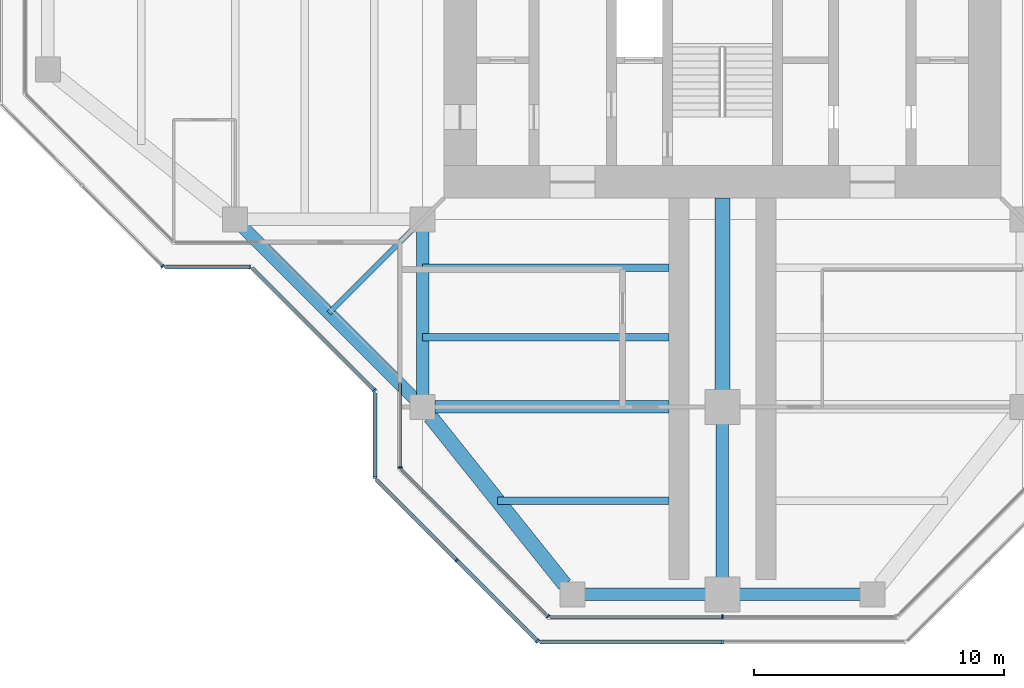
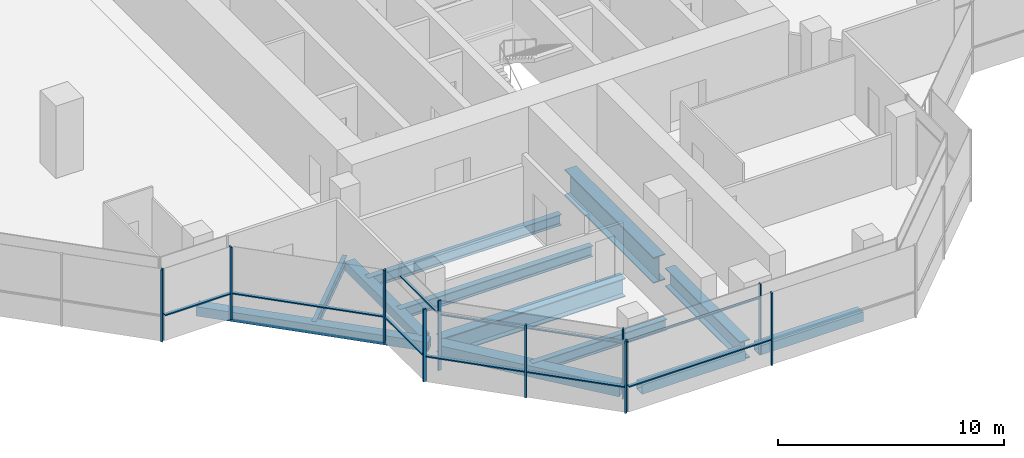
# One storey, part 2 of 15: 19 members, 12 beams, 9 elements without a shape of their own.
"""IFC4 building model written with IfcOpenShell, lengths in metres."""

from ifc_helpers import new_model, si_unit, direction, frame, origin, origin_2d, place, context, subcontext, project, spatial, rectangle, hollow_rectangle, i_section, extrude, material, material_profile, profile_set, type_object, element, aggregate, save


model = new_model("IFC4")

# Units and contexts
model_context = context("Model", 3, precision=1e-05, world=origin(), true_north=direction((0.0, 1.0)))
body_context = subcontext(model_context, "Body", "Model", "MODEL_VIEW")
ifc_project = project(units=[si_unit("LENGTHUNIT", "METRE"), si_unit("AREAUNIT", "SQUARE_METRE"), si_unit("VOLUMEUNIT", "CUBIC_METRE"), si_unit("PLANEANGLEUNIT", "RADIAN"), si_unit("MASSUNIT", "GRAM", prefix="KILO")], contexts=[model_context])

# Site, building, storey
site_placement = place(None, origin())
site = spatial("IfcSite", under=ifc_project, at=site_placement, CompositionType="ELEMENT")
building_placement = place(site_placement, origin())
building = spatial("IfcBuilding", under=site, at=building_placement, Name="Mizan Broadcast Tower", CompositionType="ELEMENT")
storey_placement = place(building_placement, frame((0.0, 0.0, 282.89990234375)))
storey = spatial("IfcBuildingStorey", under=building, at=storey_placement, Name="L67", CompositionType="ELEMENT", Elevation=282.89990234375)

# Beams
ifc_material_1 = material(Name="Steel S355", Category="steel")
ifc_material_profile_1 = material_profile(ifc_material_1, hollow_rectangle(XDim=0.5, YDim=0.5, WallThickness=0.030029296875, at=origin_2d()), Name="BOX 500x500x30")
ifc_profile_set_1 = profile_set([ifc_material_profile_1], Name="Steel S355")
beam_type_1 = type_object("IfcBeamType", Name="EDGE BEAM BOX 500x500x30", PredefinedType="SPANDREL", material=ifc_profile_set_1)
beam_1_placement = place(storey_placement, frame((-12.0, -12.449951171875, -0.3798828125), z_axis=(0.0, -1.0, 0.0), x_axis=(1.0, 0.0, 0.0)))
element("IfcBeam", 1, at=beam_1_placement, inside=storey, type_object=beam_type_1, Name="Edge beam BOX 500x500x30 L67 south arm", PredefinedType="SPANDREL", context=body_context, shape_type="SweptSolid", body=[
    extrude(hollow_rectangle(XDim=0.5, YDim=0.5, WallThickness=0.030029296875, at=origin_2d()), origin(), (0.0, 0.0, 1.0), 6.60009765625),
])
for number, where, z_axis, x_axis, name in (
    (2, (-5.639892578125, -27.0, -0.3798828125), (1.0, 0.0, 0.0), (0.0, 1.0, 0.0), "Edge beam BOX 500x500x30 L67 south arm"),
    (3, (5.639892578125, -27.0, -0.3798828125), (-1.0, 0.0, 0.0), (0.0, -1.0, 0.0), "Edge beam BOX 500x500x30 L67 south arm"),
):
    element("IfcBeam", number, at=place(storey_placement, frame(where, z_axis=z_axis, x_axis=x_axis)), inside=storey, type_object=beam_type_1, Name=name, PredefinedType="SPANDREL", context=body_context, shape_type="SweptSolid", body=[
        extrude(hollow_rectangle(XDim=0.5, YDim=0.5, WallThickness=0.030029296875, at=origin_2d()), origin(), (0.0, 0.0, 1.0), 5.27978515625),
    ])
beam_2_placement = place(storey_placement, frame((-19.5, -12.0, -0.3798828125), z_axis=(0.707106781187, -0.707106781187, 0.0), x_axis=(0.707106781187, 0.707106781187, 0.0)))
element("IfcBeam", 4, at=beam_2_placement, inside=storey, type_object=beam_type_1, Name="Winter garden edge beam L67 W", PredefinedType="SPANDREL", context=body_context, shape_type="SweptSolid", body=[
    extrude(hollow_rectangle(XDim=0.5, YDim=0.5, WallThickness=0.030029296875, at=origin_2d()), origin(), (0.0, 0.0, 1.0), 10.606689453125),
])
ifc_material_2 = material(Name="Steel S355", Category="steel")
ifc_material_profile_2 = material_profile(ifc_material_2, hollow_rectangle(XDim=0.60009765625, YDim=0.60009765625, WallThickness=0.030029296875, at=origin_2d()), Name="BOX 600x600x30")
ifc_profile_set_2 = profile_set([ifc_material_profile_2], Name="Steel S355")
beam_type_2 = type_object("IfcBeamType", Name="EDGE BEAM BOX 600x600x30", PredefinedType="SPANDREL", material=ifc_profile_set_2)
beam_3_placement = place(storey_placement, frame((-11.687744140625, -19.890380859375, -0.429931640625), z_axis=(0.62470196761, -0.780863273348, 0.0), x_axis=(0.780863273348, 0.62470196761, 0.0)))
element("IfcBeam", 5, at=beam_3_placement, inside=storey, type_object=beam_type_2, Name="Edge beam BOX 600x600x30 L67 south arm", PredefinedType="SPANDREL", context=body_context, shape_type="SweptSolid", body=[
    extrude(hollow_rectangle(XDim=0.60009765625, YDim=0.60009765625, WallThickness=0.030029296875, at=origin_2d()), origin(), (0.0, 0.0, 1.0), 8.60498046875),
])
ifc_material_3 = material(Name="Steel S460", Category="steel")
ifc_material_profile_3 = material_profile(ifc_material_3, i_section(OverallWidth=0.5, OverallDepth=1.0, WebThickness=0.02490234375, FlangeThickness=0.050048828125, at=origin_2d()), Name="WPG 1000x500")
ifc_profile_set_3 = profile_set([ifc_material_profile_3], Name="Steel S460")
beam_type_3 = type_object("IfcBeamType", Name="GIRDER WPG 1000x500", PredefinedType="BEAM", material=ifc_profile_set_3)
beam_4_placement = place(storey_placement, frame((0.0, -19.949951171875, -0.6298828125), z_axis=(0.0, -1.0, 0.0), x_axis=(1.0, 0.0, 0.0)))
element("IfcBeam", 6, at=beam_4_placement, inside=storey, type_object=beam_type_3, Name="Girder WPG 1000x500 L67 south arm", PredefinedType="BEAM", context=body_context, shape_type="SweptSolid", body=[
    extrude(i_section(OverallWidth=0.5, OverallDepth=1.0, WebThickness=0.02490234375, FlangeThickness=0.050048828125, at=origin_2d()), origin(), (0.0, 0.0, 1.0), 6.60009765625),
])
beam_5_placement = place(storey_placement, frame((-11.5, -19.5, -0.6298828125), z_axis=(1.0, 0.0, 0.0), x_axis=(0.0, 1.0, 0.0)))
element("IfcBeam", 7, at=beam_5_placement, inside=storey, type_object=beam_type_3, Name="Girder WPG 1000x500 L67 south arm", PredefinedType="BEAM", context=body_context, shape_type="SweptSolid", body=[
    extrude(i_section(OverallWidth=0.5, OverallDepth=1.0, WebThickness=0.02490234375, FlangeThickness=0.050048828125, at=origin_2d()), origin(), (0.0, 0.0, 1.0), 9.35009765625),
])
ifc_material_4 = material(Name="Steel S460", Category="steel")
ifc_material_profile_4 = material_profile(ifc_material_4, i_section(OverallWidth=0.60009765625, OverallDepth=1.39990234375, WebThickness=0.02490234375, FlangeThickness=0.06005859375, at=origin_2d()), Name="WPG 1400x600")
ifc_profile_set_4 = profile_set([ifc_material_profile_4], Name="Steel S460")
beam_type_4 = type_object("IfcBeamType", Name="GIRDER WPG 1400x600", PredefinedType="BEAM", material=ifc_profile_set_4)
beam_6_placement = place(storey_placement, frame((0.0, -11.14990234375, -0.829833984375), z_axis=(0.0, -1.0, 0.0), x_axis=(1.0, 0.0, 0.0)))
element("IfcBeam", 8, at=beam_6_placement, inside=storey, type_object=beam_type_4, Name="Girder WPG 1400x600 L67 south arm", PredefinedType="BEAM", context=body_context, shape_type="SweptSolid", body=[
    extrude(i_section(OverallWidth=0.60009765625, OverallDepth=1.39990234375, WebThickness=0.02490234375, FlangeThickness=0.06005859375, at=origin_2d()), origin(), (0.0, 0.0, 1.0), 7.84912109375),
])

# Curtain wall, member
ifc_material_5 = material(Name="Aluminium framed glazing", Category="aluminium")
curtain_wall_type_1 = type_object("IfcCurtainWallType", Name="INNER SKIN TOP ZONE", PredefinedType="USERDEFINED", material=ifc_material_5)
curtain_wall_1_placement = place(storey_placement, origin())
curtain_wall_1 = element("IfcCurtainWall", 9, at=curtain_wall_1_placement, inside=storey, type_object=curtain_wall_type_1, Name="Inner skin top zone L67 S side", ObjectType="INNER SKIN TOP ZONE", PredefinedType="USERDEFINED")
ifc_material_6 = material(Name="Aluminium, pale anodised", Category="aluminium")
ifc_material_profile_5 = material_profile(ifc_material_6, rectangle(XDim=0.159912109375, YDim=0.06005859375, at=origin_2d()), Name="MULLION 160x60")
ifc_profile_set_5 = profile_set([ifc_material_profile_5], Name="Aluminium, pale anodised")
member_type_1 = type_object("IfcMemberType", Name="INNER SKIN MULLION 60x160", PredefinedType="MULLION", material=ifc_profile_set_5)
member_1_placement = place(storey_placement, frame((-12.89990234375, -21.928466796875, 0.0), z_axis=(0.0, 0.0, 1.0), x_axis=(1.0, 0.0, 0.0)))
member_1 = element("IfcMember", 10, at=member_1_placement, type_object=member_type_1, Name="Inner skin top zone L67 S side mullion 2", PredefinedType="MULLION", context=body_context, shape_type="SweptSolid", body=[
    extrude(rectangle(XDim=0.159912109375, YDim=0.06005859375, at=origin_2d()), origin(), (0.0, 0.0, 1.0), 3.77001953125),
])

curtain_wall_2_placement = place(storey_placement, origin())
curtain_wall_2 = element("IfcCurtainWall", 11, at=curtain_wall_2_placement, inside=storey, type_object=curtain_wall_type_1, Name="Inner skin top zone L67 S chamfer", ObjectType="INNER SKIN TOP ZONE", PredefinedType="USERDEFINED")
member_2_placement = place(storey_placement, frame((-6.979736328125, -27.87890625, 0.0), z_axis=(0.0, 0.0, 1.0), x_axis=(0.707106781187, 0.707106781187, 0.0)))
member_2 = element("IfcMember", 12, at=member_2_placement, type_object=member_type_1, Name="Inner skin top zone L67 S chamfer mullion 2", PredefinedType="MULLION", context=body_context, shape_type="SweptSolid", body=[
    extrude(rectangle(XDim=0.159912109375, YDim=0.06005859375, at=origin_2d()), origin(), (0.0, 0.0, 1.0), 3.77001953125),
])

curtain_wall_3_placement = place(storey_placement, origin())
curtain_wall_3 = element("IfcCurtainWall", 13, at=curtain_wall_3_placement, inside=storey, type_object=curtain_wall_type_1, Name="Inner skin top zone L67 S end", ObjectType="INNER SKIN TOP ZONE", PredefinedType="USERDEFINED")
member_3_placement = place(storey_placement, frame((0.0, -27.89990234375, 0.0), z_axis=(0.0, 0.0, 1.0), x_axis=(0.0, 1.0, 0.0)))
member_3 = element("IfcMember", 14, at=member_3_placement, type_object=member_type_1, Name="Inner skin top zone L67 S end mullion 2", PredefinedType="MULLION", context=body_context, shape_type="SweptSolid", body=[
    extrude(rectangle(XDim=0.159912109375, YDim=0.06005859375, at=origin_2d()), origin(), (0.0, 0.0, 1.0), 3.77001953125),
])

# Member
ifc_material_7 = material(Name="Aluminium, pale anodised", Category="aluminium")
ifc_material_profile_6 = material_profile(ifc_material_7, rectangle(XDim=0.1201171875, YDim=0.06005859375, at=origin_2d()), Name="TRANSOM 120x60")
ifc_profile_set_6 = profile_set([ifc_material_profile_6], Name="Aluminium, pale anodised")
member_type_2 = type_object("IfcMemberType", Name="INNER SKIN TRANSOM 60x120", PredefinedType="USERDEFINED", material=ifc_profile_set_6)
member_4_placement = place(storey_placement, frame((-12.89990234375, -18.56005859375, 3.030029296875), z_axis=(0.0, -1.0, 0.0), x_axis=(1.0, 0.0, 0.0)))
member_4 = element("IfcMember", 15, at=member_4_placement, type_object=member_type_2, Name="Inner skin top zone L67 S side transom 1.1", ObjectType="TRANSOM", PredefinedType="USERDEFINED", context=body_context, shape_type="SweptSolid", body=[
    extrude(rectangle(XDim=0.1201171875, YDim=0.06005859375, at=origin_2d()), origin(), (0.0, 0.0, 1.0), 3.338623046875),
])

aggregate(curtain_wall_1, [member_1, member_4])

member_5_placement = place(storey_placement, frame((-12.857666015625, -22.0009765625, 3.030029296875), z_axis=(0.707106781187, -0.707106781187, 0.0), x_axis=(0.707106781187, 0.707106781187, 0.0)))
member_5 = element("IfcMember", 16, at=member_5_placement, type_object=member_type_2, Name="Inner skin top zone L67 S chamfer transom 1.1", ObjectType="TRANSOM", PredefinedType="USERDEFINED", context=body_context, shape_type="SweptSolid", body=[
    extrude(rectangle(XDim=0.1201171875, YDim=0.06005859375, at=origin_2d()), origin(), (0.0, 0.0, 1.0), 8.28271484375),
])

aggregate(curtain_wall_2, [member_2, member_5])

member_6_placement = place(storey_placement, frame((-6.898681640625, -27.89990234375, 3.030029296875), z_axis=(1.0, 0.0, 0.0), x_axis=(0.0, 1.0, 0.0)))
member_6 = element("IfcMember", 17, at=member_6_placement, type_object=member_type_2, Name="Inner skin top zone L67 S end transom 1.1", ObjectType="TRANSOM", PredefinedType="USERDEFINED", context=body_context, shape_type="SweptSolid", body=[
    extrude(rectangle(XDim=0.1201171875, YDim=0.06005859375, at=origin_2d()), origin(), (0.0, 0.0, 1.0), 6.86865234375),
])

aggregate(curtain_wall_3, [member_3, member_6])

# Curtain wall, member
ifc_material_8 = material(Name="Aluminium framed glazing", Category="aluminium")
curtain_wall_type_2 = type_object("IfcCurtainWallType", Name="OUTER SKIN", PredefinedType="USERDEFINED", material=ifc_material_8)
curtain_wall_4_placement = place(storey_placement, origin())
curtain_wall_4 = element("IfcCurtainWall", 18, at=curtain_wall_4_placement, inside=storey, type_object=curtain_wall_type_2, Name="Outer skin L67 W chamfer", ObjectType="OUTER SKIN", PredefinedType="USERDEFINED")
ifc_material_9 = material(Name="Aluminium, pale anodised", Category="aluminium")
ifc_material_profile_7 = material_profile(ifc_material_9, rectangle(XDim=0.159912109375, YDim=0.080078125, at=origin_2d()), Name="MULLION 160x80")
ifc_profile_set_7 = profile_set([ifc_material_profile_7], Name="Aluminium, pale anodised")
member_type_3 = type_object("IfcMemberType", Name="OUTER SKIN MULLION 80x160", PredefinedType="MULLION", material=ifc_profile_set_7)
member_7_placement = place(storey_placement, frame((-22.401123046875, -13.871826171875, 0.0), z_axis=(0.0, 0.0, 1.0), x_axis=(0.707106781187, 0.707106781187, 0.0)))
member_7 = element("IfcMember", 19, at=member_7_placement, type_object=member_type_3, Name="Outer skin L67 W chamfer mullion 3", PredefinedType="MULLION", context=body_context, shape_type="SweptSolid", body=[
    extrude(rectangle(XDim=0.159912109375, YDim=0.080078125, at=origin_2d()), origin(), (0.0, 0.0, 1.0), 3.900146484375),
])
aggregate(curtain_wall_4, [member_7])

curtain_wall_5_placement = place(storey_placement, origin())
curtain_wall_5 = element("IfcCurtainWall", 20, at=curtain_wall_5_placement, inside=storey, type_object=curtain_wall_type_2, Name="Outer skin L67 W side", ObjectType="OUTER SKIN", PredefinedType="USERDEFINED")
member_8_placement = place(storey_placement, frame((-18.912841796875, -13.89990234375, 0.0), z_axis=(0.0, 0.0, 1.0), x_axis=(0.0, 1.0, 0.0)))
member_8 = element("IfcMember", 21, at=member_8_placement, type_object=member_type_3, Name="Outer skin L67 W side mullion 2", PredefinedType="MULLION", context=body_context, shape_type="SweptSolid", body=[
    extrude(rectangle(XDim=0.159912109375, YDim=0.080078125, at=origin_2d()), origin(), (0.0, 0.0, 1.0), 3.900146484375),
])

curtain_wall_6_placement = place(storey_placement, origin())
curtain_wall_6 = element("IfcCurtainWall", 22, at=curtain_wall_6_placement, inside=storey, type_object=curtain_wall_type_2, Name="Outer skin L67 W chamfer", ObjectType="OUTER SKIN", PredefinedType="USERDEFINED")
member_9_placement = place(storey_placement, frame((-13.92822265625, -18.844482421875, 0.0), z_axis=(0.0, 0.0, 1.0), x_axis=(0.707106781187, 0.707106781187, 0.0)))
member_9 = element("IfcMember", 23, at=member_9_placement, type_object=member_type_3, Name="Outer skin L67 W chamfer mullion 2", PredefinedType="MULLION", context=body_context, shape_type="SweptSolid", body=[
    extrude(rectangle(XDim=0.159912109375, YDim=0.080078125, at=origin_2d()), origin(), (0.0, 0.0, 1.0), 3.900146484375),
])

curtain_wall_7_placement = place(storey_placement, origin())
curtain_wall_7 = element("IfcCurtainWall", 24, at=curtain_wall_7_placement, inside=storey, type_object=curtain_wall_type_2, Name="Outer skin L67 S side", ObjectType="OUTER SKIN", PredefinedType="USERDEFINED")
member_10_placement = place(storey_placement, frame((-13.89990234375, -22.332763671875, 0.0), z_axis=(0.0, 0.0, 1.0), x_axis=(1.0, 0.0, 0.0)))
member_10 = element("IfcMember", 25, at=member_10_placement, type_object=member_type_3, Name="Outer skin L67 S side mullion 2", PredefinedType="MULLION", context=body_context, shape_type="SweptSolid", body=[
    extrude(rectangle(XDim=0.159912109375, YDim=0.080078125, at=origin_2d()), origin(), (0.0, 0.0, 1.0), 3.900146484375),
])

# Curtain wall, members
curtain_wall_8_placement = place(storey_placement, origin())
curtain_wall_8 = element("IfcCurtainWall", 26, at=curtain_wall_8_placement, inside=storey, type_object=curtain_wall_type_2, Name="Outer skin L67 S chamfer", ObjectType="OUTER SKIN", PredefinedType="USERDEFINED")
member_11_placement = place(storey_placement, frame((-10.636474609375, -25.636474609375, 0.0), z_axis=(0.0, 0.0, 1.0), x_axis=(0.707106781187, 0.707106781187, 0.0)))
member_11 = element("IfcMember", 27, at=member_11_placement, type_object=member_type_3, Name="Outer skin L67 S chamfer mullion 2", PredefinedType="MULLION", context=body_context, shape_type="SweptSolid", body=[
    extrude(rectangle(XDim=0.159912109375, YDim=0.080078125, at=origin_2d()), origin(), (0.0, 0.0, 1.0), 3.900146484375),
])
member_12_placement = place(storey_placement, frame((-7.401123046875, -28.871826171875, 0.0), z_axis=(0.0, 0.0, 1.0), x_axis=(0.707106781187, 0.707106781187, 0.0)))
member_12 = element("IfcMember", 28, at=member_12_placement, type_object=member_type_3, Name="Outer skin L67 S chamfer mullion 3", PredefinedType="MULLION", context=body_context, shape_type="SweptSolid", body=[
    extrude(rectangle(XDim=0.159912109375, YDim=0.080078125, at=origin_2d()), origin(), (0.0, 0.0, 1.0), 3.900146484375),
])

# Curtain wall, member
curtain_wall_9_placement = place(storey_placement, origin())
curtain_wall_9 = element("IfcCurtainWall", 29, at=curtain_wall_9_placement, inside=storey, type_object=curtain_wall_type_2, Name="Outer skin L67 S end", ObjectType="OUTER SKIN", PredefinedType="USERDEFINED")
member_13_placement = place(storey_placement, frame((0.0, -28.89990234375, 0.0), z_axis=(0.0, 0.0, 1.0), x_axis=(0.0, 1.0, 0.0)))
member_13 = element("IfcMember", 30, at=member_13_placement, type_object=member_type_3, Name="Outer skin L67 S end mullion 2", PredefinedType="MULLION", context=body_context, shape_type="SweptSolid", body=[
    extrude(rectangle(XDim=0.159912109375, YDim=0.080078125, at=origin_2d()), origin(), (0.0, 0.0, 1.0), 3.900146484375),
])

# Member
ifc_material_10 = material(Name="Aluminium, pale anodised", Category="aluminium")
ifc_material_profile_8 = material_profile(ifc_material_10, rectangle(XDim=0.159912109375, YDim=0.06005859375, at=origin_2d()), Name="TRANSOM 160x60")
ifc_profile_set_8 = profile_set([ifc_material_profile_8], Name="Aluminium, pale anodised")
member_type_4 = type_object("IfcMemberType", Name="OUTER SKIN TRANSOM 60x160", PredefinedType="USERDEFINED", material=ifc_profile_set_8)
member_14_placement = place(storey_placement, frame((-22.292724609375, -13.89990234375, 1.400146484375), z_axis=(1.0, 0.0, 0.0), x_axis=(0.0, 1.0, 0.0)))
member_14 = element("IfcMember", 31, at=member_14_placement, type_object=member_type_4, Name="Outer skin L67 W side transom 1.1", ObjectType="TRANSOM", PredefinedType="USERDEFINED", context=body_context, shape_type="SweptSolid", body=[
    extrude(rectangle(XDim=0.159912109375, YDim=0.06005859375, at=origin_2d()), origin(), (0.0, 0.0, 1.0), 3.33984375),
])

aggregate(curtain_wall_5, [member_8, member_14])

member_15_placement = place(storey_placement, frame((-18.816162109375, -13.95654296875, 1.400146484375), z_axis=(0.707106781187, -0.707106781187, 0.0), x_axis=(0.707106781187, 0.707106781187, 0.0)))
member_15 = element("IfcMember", 32, at=member_15_placement, type_object=member_type_4, Name="Outer skin L67 W chamfer transom 1.1", ObjectType="TRANSOM", PredefinedType="USERDEFINED", context=body_context, shape_type="SweptSolid", body=[
    extrude(rectangle(XDim=0.159912109375, YDim=0.06005859375, at=origin_2d()), origin(), (0.0, 0.0, 1.0), 6.87255859375),
])

aggregate(curtain_wall_6, [member_9, member_15])

member_16_placement = place(storey_placement, frame((-13.89990234375, -18.952880859375, 1.400146484375), z_axis=(0.0, -1.0, 0.0), x_axis=(1.0, 0.0, 0.0)))
member_16 = element("IfcMember", 33, at=member_16_placement, type_object=member_type_4, Name="Outer skin L67 S side transom 1.1", ObjectType="TRANSOM", PredefinedType="USERDEFINED", context=body_context, shape_type="SweptSolid", body=[
    extrude(rectangle(XDim=0.159912109375, YDim=0.06005859375, at=origin_2d()), origin(), (0.0, 0.0, 1.0), 3.33984375),
])

aggregate(curtain_wall_7, [member_10, member_16])

member_17_placement = place(storey_placement, frame((-13.843505859375, -22.429443359375, 1.400146484375), z_axis=(0.707106781187, -0.707106781187, 0.0), x_axis=(0.707106781187, 0.707106781187, 0.0)))
member_17 = element("IfcMember", 34, at=member_17_placement, type_object=member_type_4, Name="Outer skin L67 S chamfer transom 1.1", ObjectType="TRANSOM", PredefinedType="USERDEFINED", context=body_context, shape_type="SweptSolid", body=[
    extrude(rectangle(XDim=0.159912109375, YDim=0.06005859375, at=origin_2d()), origin(), (0.0, 0.0, 1.0), 4.495361328125),
])

member_18_placement = place(storey_placement, frame((-10.608154296875, -25.664794921875, 1.400146484375), z_axis=(0.707106781187, -0.707106781187, 0.0), x_axis=(0.707106781187, 0.707106781187, 0.0)))
member_18 = element("IfcMember", 35, at=member_18_placement, type_object=member_type_4, Name="Outer skin L67 S chamfer transom 2.1", ObjectType="TRANSOM", PredefinedType="USERDEFINED", context=body_context, shape_type="SweptSolid", body=[
    extrude(rectangle(XDim=0.159912109375, YDim=0.06005859375, at=origin_2d()), origin(), (0.0, 0.0, 1.0), 4.495361328125),
])

aggregate(curtain_wall_8, [member_11, member_12, member_17, member_18])

member_19_placement = place(storey_placement, frame((-7.292724609375, -28.89990234375, 1.400146484375), z_axis=(1.0, 0.0, 0.0), x_axis=(0.0, 1.0, 0.0)))
member_19 = element("IfcMember", 36, at=member_19_placement, type_object=member_type_4, Name="Outer skin L67 S end transom 1.1", ObjectType="TRANSOM", PredefinedType="USERDEFINED", context=body_context, shape_type="SweptSolid", body=[
    extrude(rectangle(XDim=0.159912109375, YDim=0.06005859375, at=origin_2d()), origin(), (0.0, 0.0, 1.0), 7.252685546875),
])

aggregate(curtain_wall_9, [member_13, member_19])

# Beams
ifc_material_11 = material(Name="Steel S355", Category="steel")
ifc_material_profile_9 = material_profile(ifc_material_11, i_section(OverallWidth=0.300048828125, OverallDepth=0.590087890625, WebThickness=0.012939453125, FlangeThickness=0.02490234375, FilletRadius=0.027099609375, at=origin_2d()), Name="HEA 600")
ifc_profile_set_9 = profile_set([ifc_material_profile_9], Name="Steel S355")
beam_type_5 = type_object("IfcBeamType", Name="SECONDARY BEAM HEA 600", PredefinedType="JOIST", material=ifc_profile_set_9)
for number, where, z_axis, x_axis, name in (
    (37, (-12.0, -13.933349609375, -0.4248046875), (1.0, 0.0, 0.0), (0.0, 1.0, 0.0), "Secondary beam HEA 600 L67 south arm"),
    (38, (-12.0, -16.716552734375, -0.4248046875), (1.0, 0.0, 0.0), (0.0, 1.0, 0.0), "Secondary beam HEA 600 L67 south arm"),
):
    element("IfcBeam", number, at=place(storey_placement, frame(where, z_axis=z_axis, x_axis=x_axis)), inside=storey, type_object=beam_type_5, Name=name, PredefinedType="JOIST", context=body_context, shape_type="SweptSolid", body=[
        extrude(i_section(OverallWidth=0.300048828125, OverallDepth=0.590087890625, WebThickness=0.012939453125, FlangeThickness=0.02490234375, FilletRadius=0.027099609375, at=origin_2d()), origin(), (0.0, 0.0, 1.0), 9.85009765625),
    ])
beam_7_placement = place(storey_placement, frame((-9.0, -23.25, -0.4248046875), z_axis=(1.0, 0.0, 0.0), x_axis=(0.0, 1.0, 0.0)))
element("IfcBeam", 39, at=beam_7_placement, inside=storey, type_object=beam_type_5, Name="Secondary beam HEA 600 L67 south arm", PredefinedType="JOIST", context=body_context, shape_type="SweptSolid", body=[
    extrude(i_section(OverallWidth=0.300048828125, OverallDepth=0.590087890625, WebThickness=0.012939453125, FlangeThickness=0.02490234375, FilletRadius=0.027099609375, at=origin_2d()), origin(), (0.0, 0.0, 1.0), 6.85009765625),
])
ifc_material_12 = material(Name="Steel S355", Category="steel")
ifc_material_profile_10 = material_profile(ifc_material_12, i_section(OverallWidth=0.2099609375, OverallDepth=0.550048828125, WebThickness=0.010986328125, FlangeThickness=0.01708984375, FilletRadius=0.02392578125, at=origin_2d()), Name="IPE 550")
ifc_profile_set_10 = profile_set([ifc_material_profile_10], Name="Steel S355")
beam_type_6 = type_object("IfcBeamType", Name="SECONDARY BEAM IPE 550", PredefinedType="JOIST", material=ifc_profile_set_10)
beam_8_placement = place(storey_placement, frame((-12.0, -12.0, -0.40478515625), z_axis=(-0.707106781187, -0.707106781187, 0.0), x_axis=(0.707106781187, -0.707106781187, 0.0)))
element("IfcBeam", 40, at=beam_8_placement, inside=storey, type_object=beam_type_6, Name="Winter garden beam L67 W", PredefinedType="JOIST", context=body_context, shape_type="SweptSolid", body=[
    extrude(i_section(OverallWidth=0.2099609375, OverallDepth=0.550048828125, WebThickness=0.010986328125, FlangeThickness=0.01708984375, FilletRadius=0.02392578125, at=origin_2d()), origin(), (0.0, 0.0, 1.0), 5.30322265625),
])

save(model, "model.ifc")
